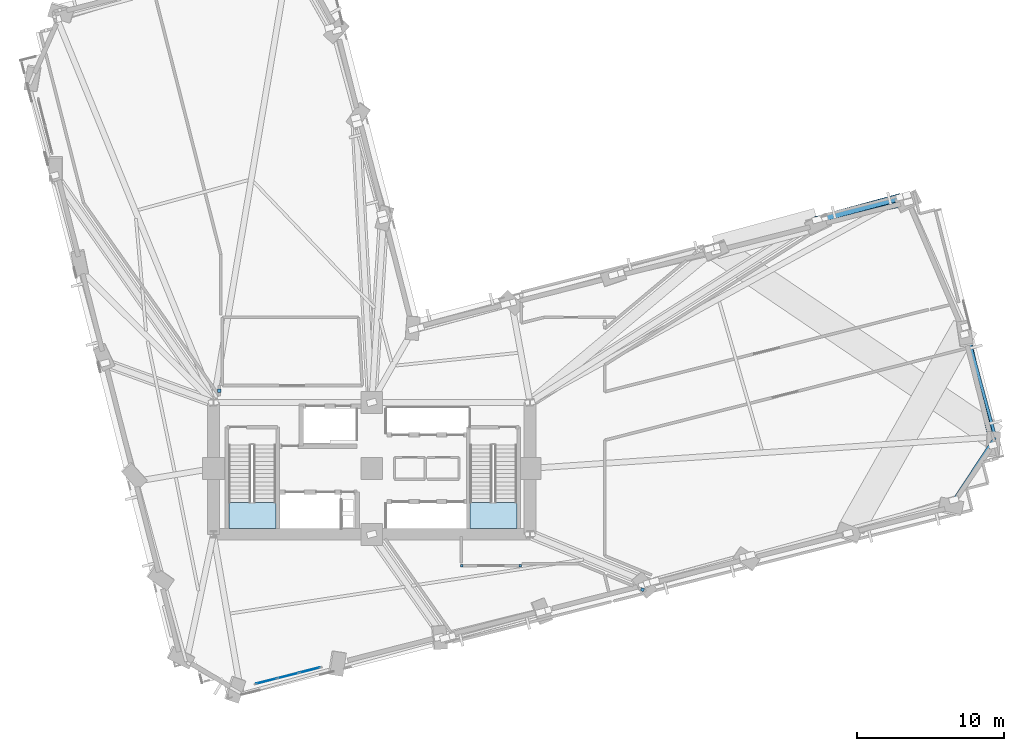
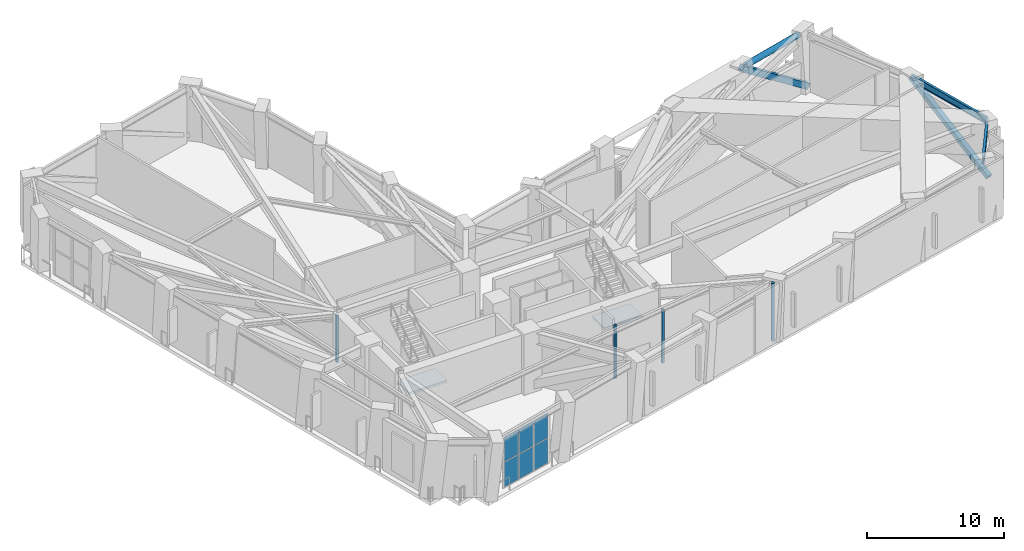
# One storey, part 6 of 17: 10 plates, 3 members, 2 beams, 2 slabs, 3 elements without a shape of their own.
"""IFC4 building model written with IfcOpenShell, lengths in metres."""

from ifc_helpers import new_model, si_unit, direction, frame, origin, origin_2d, place, context, subcontext, project, spatial, polyline, rectangle, hollow_rectangle, hollow_circle, i_section, outline, extrude, material, layer, layer_set, material_profile, profile_set, type_object, element, aggregate, save


model = new_model("IFC4")

# Units and contexts
model_context = context("Model", 3, precision=1e-05, world=origin(), true_north=direction((0.0, 1.0)))
body_context = subcontext(model_context, "Body", "Model", "MODEL_VIEW")
ifc_project = project(units=[si_unit("LENGTHUNIT", "METRE"), si_unit("AREAUNIT", "SQUARE_METRE"), si_unit("VOLUMEUNIT", "CUBIC_METRE"), si_unit("PLANEANGLEUNIT", "RADIAN"), si_unit("MASSUNIT", "GRAM", prefix="KILO")], contexts=[model_context])

# Site, building, storey
site_placement = place(None, origin())
site = spatial("IfcSite", under=ifc_project, at=site_placement, CompositionType="ELEMENT")
building_placement = place(site_placement, origin())
building = spatial("IfcBuilding", under=site, at=building_placement, Name="Gaonmaruhae Medical Tower", CompositionType="ELEMENT")
storey_placement = place(building_placement, frame((0.0, 0.0, 83.0)))
storey = spatial("IfcBuildingStorey", under=building, at=storey_placement, Name="L19", CompositionType="ELEMENT", Elevation=83.0)

# Members
ifc_material_1 = material(Name="Steel HSA650 (650 MPa)", Category="steel")
ifc_material_profile_1 = material_profile(ifc_material_1, hollow_circle(Radius=0.25390625, WallThickness=0.01611328125, at=origin_2d()), Name="CHS-508.0x16.0")
ifc_profile_set_1 = profile_set([ifc_material_profile_1], Name="Steel HSA650 (650 MPa)")
member_type_1 = type_object("IfcMemberType", Name="BT-C1 Belt Truss Perimeter Chord (CHS-508.0x16.0)", PredefinedType="CHORD", material=ifc_profile_set_1)
member_1_placement = place(storey_placement, frame((60.906982421875, 30.820068359375, 4.830078125), z_axis=(-0.96502204385, -0.262168752684, 0.0), x_axis=(0.262168752684, -0.96502204385, 0.0)))
element("IfcMember", 1, at=member_1_placement, inside=storey, type_object=member_type_1, Name="L19 Belt Truss Top Chord BTC04", PredefinedType="CHORD", context=body_context, shape_type="SweptSolid", body=[
    extrude(hollow_circle(Radius=0.25390625, WallThickness=0.01611328125, at=origin_2d()), origin(), (0.0, 0.0, 1.0), 5.510009765625),
])
ifc_material_profile_2 = material_profile(ifc_material_1, hollow_rectangle(XDim=0.5, YDim=0.5, WallThickness=0.02197265625, at=origin_2d()), Name="RHS-500x500x22")
ifc_profile_set_2 = profile_set([ifc_material_profile_2], Name="Steel HSA650 (650 MPa)")
member_type_2 = type_object("IfcMemberType", Name="BT-D1 Belt Truss Diagonal Heavy (RHS-500x500x22)", PredefinedType="BRACE", material=ifc_profile_set_2)
member_2_placement = place(storey_placement, frame((61.409912109375, 30.469970703125, 0.35009765625), z_axis=(-0.801856321794, -0.155151336931, 0.577022098232), x_axis=(0.189966837796, -0.98179050746, 0.0)))
element("IfcMember", 2, at=member_2_placement, inside=storey, type_object=member_type_2, Name="L19 Belt Truss Diagonal BTD04", PredefinedType="BRACE", context=body_context, shape_type="SweptSolid", body=[
    extrude(hollow_rectangle(XDim=0.5, YDim=0.5, WallThickness=0.02197265625, at=origin_2d()), origin(), (0.0, 0.0, 1.0), 7.763916015625),
])
ifc_material_2 = material(Name="Steel SM420", Category="steel")
ifc_material_profile_3 = material_profile(ifc_material_2, hollow_rectangle(XDim=0.39990234375, YDim=0.39990234375, WallThickness=0.01611328125, at=origin_2d()), Name="RHS-400x400x16")
ifc_profile_set_3 = profile_set([ifc_material_profile_3], Name="Steel SM420")
member_type_3 = type_object("IfcMemberType", Name="PB-01 Perimeter Solid-Bay Tube Brace Lower (RHS-400x400x16)", PredefinedType="BRACE", material=ifc_profile_set_3)
member_3_placement = place(storey_placement, frame((67.171630859375, 13.877685546875, 0.25), z_axis=(-0.196142319429, 0.848660202838, 0.491227086639), x_axis=(-0.974316268344, -0.225183945342, 0.0)))
element("IfcMember", 3, at=member_3_placement, inside=storey, type_object=member_type_3, Name="L19 Perimeter Tube Solid-Bay Brace E01-E02", PredefinedType="BRACE", context=body_context, shape_type="SweptSolid", body=[
    extrude(hollow_rectangle(XDim=0.39990234375, YDim=0.39990234375, WallThickness=0.01611328125, at=origin_2d()), origin(), (0.0, 0.0, 1.0), 9.527099609375),
])

# Beams
ifc_material_3 = material(Name="Steel SM355", Category="steel")
ifc_material_profile_4 = material_profile(ifc_material_3, i_section(OverallWidth=0.199951171875, OverallDepth=0.60009765625, WebThickness=0.010986328125, FlangeThickness=0.01708984375, FilletRadius=0.012939453125, at=origin_2d()), Name="H-600x200x11x17")
ifc_profile_set_4 = profile_set([ifc_material_profile_4], Name="Steel SM355")
beam_type = type_object("IfcBeamType", Name="SP-01 Lower Perimeter Spandrel Beam (H-600x200x11x17)", PredefinedType="SPANDREL", material=ifc_profile_set_4)
beam_1_placement = place(storey_placement, frame((64.546142578125, 10.1787109375, 4.860107421875), z_axis=(0.549765476408, 0.835319053386, 0.0), x_axis=(-0.835319053386, 0.549765476408, 0.0)))
element("IfcBeam", 4, at=beam_1_placement, inside=storey, type_object=beam_type, Name="L19 Perimeter Spandrel Beam S08-E01", PredefinedType="SPANDREL", context=body_context, shape_type="SweptSolid", body=[
    extrude(i_section(OverallWidth=0.199951171875, OverallDepth=0.60009765625, WebThickness=0.010986328125, FlangeThickness=0.01708984375, FilletRadius=0.012939453125, at=origin_2d()), origin(), (0.0, 0.0, 1.0), 5.056396484375),
])
beam_2_placement = place(storey_placement, frame((67.33740234375, 14.474365234375, 4.860107421875), z_axis=(-0.262167326114, 0.965022431407, 0.0), x_axis=(-0.965022431407, -0.262167326114, 0.0)))
element("IfcBeam", 5, at=beam_2_placement, inside=storey, type_object=beam_type, Name="L19 Perimeter Spandrel Beam E01-E02", PredefinedType="SPANDREL", context=body_context, shape_type="SweptSolid", body=[
    extrude(i_section(OverallWidth=0.199951171875, OverallDepth=0.60009765625, WebThickness=0.010986328125, FlangeThickness=0.01708984375, FilletRadius=0.012939453125, at=origin_2d()), origin(), (0.0, 0.0, 1.0), 7.719970703125),
])

# Curtain wall, plates
ifc_material_4 = material(Name="Anodised aluminium and Low-E double glazing", Category="aluminium")
curtain_wall_type = type_object("IfcCurtainWallType", Name="CW-S2 Express Sky Lobby Feature Curtain Wall", PredefinedType="NOTDEFINED", material=ifc_material_4)
curtain_wall_placement = place(storey_placement, origin())
curtain_wall = element("IfcCurtainWall", 6, at=curtain_wall_placement, inside=storey, type_object=curtain_wall_type, Name="L19 Curtain Wall CW-L19-S01", PredefinedType="NOTDEFINED")
ifc_material_5 = material(Name="Low-E double solar glass", Category="glass")
ifc_layer_1 = layer(ifc_material_5, 0.028076171875)
ifc_layer_set_1 = layer_set([ifc_layer_1], Name="Low-E double solar glass")
plate_type_1 = type_object("IfcPlateType", Name="CWP-V1 Low-E Double Vision Glazing Panel", PredefinedType="CURTAIN_PANEL", material=ifc_layer_set_1)
plate_1_placement = place(storey_placement, frame((20.570068359375, -1.465576171875, 0.06494140625), z_axis=(0.0, 0.0, 1.0), x_axis=(-0.969229296021, -0.246159646843, 0.0)))
plate_1 = element("IfcPlate", 7, at=plate_1_placement, type_object=plate_type_1, Name="CW-S2 panel 1.1", PredefinedType="CURTAIN_PANEL", context=body_context, shape_type="SweptSolid", body=[
    extrude(rectangle(XDim=1.429931640625, YDim=0.028076171875, at=origin_2d()), origin(), (0.0, 0.0, 1.0), 2.18505859375),
])
plate_2_placement = place(storey_placement, frame((20.570068359375, -1.465576171875, 2.31494140625), z_axis=(0.0, 0.0, 1.0), x_axis=(-0.969229296021, -0.246159646843, 0.0)))
plate_2 = element("IfcPlate", 8, at=plate_2_placement, type_object=plate_type_1, Name="CW-S2 panel 1.2", PredefinedType="CURTAIN_PANEL", context=body_context, shape_type="SweptSolid", body=[
    extrude(rectangle(XDim=1.429931640625, YDim=0.028076171875, at=origin_2d()), origin(), (0.0, 0.0, 1.0), 2.18505859375),
])
plate_3_placement = place(storey_placement, frame((19.09326171875, -1.840576171875, 0.06494140625), z_axis=(0.0, 0.0, 1.0), x_axis=(-0.969229296021, -0.246159646843, 0.0)))
plate_3 = element("IfcPlate", 9, at=plate_3_placement, type_object=plate_type_1, Name="CW-S2 panel 2.1", PredefinedType="CURTAIN_PANEL", context=body_context, shape_type="SweptSolid", body=[
    extrude(rectangle(XDim=1.46728515625, YDim=0.028076171875, at=origin_2d()), origin(), (0.0, 0.0, 1.0), 2.18505859375),
])
plate_4_placement = place(storey_placement, frame((19.09326171875, -1.840576171875, 2.31494140625), z_axis=(0.0, 0.0, 1.0), x_axis=(-0.969229296021, -0.246159646843, 0.0)))
plate_4 = element("IfcPlate", 10, at=plate_4_placement, type_object=plate_type_1, Name="CW-S2 panel 2.2", PredefinedType="CURTAIN_PANEL", context=body_context, shape_type="SweptSolid", body=[
    extrude(rectangle(XDim=1.46728515625, YDim=0.028076171875, at=origin_2d()), origin(), (0.0, 0.0, 1.0), 2.18505859375),
])
plate_5_placement = place(storey_placement, frame((17.616455078125, -2.215576171875, 0.06494140625), z_axis=(0.0, 0.0, 1.0), x_axis=(-0.969229296021, -0.246159646843, 0.0)))
plate_5 = element("IfcPlate", 11, at=plate_5_placement, type_object=plate_type_1, Name="CW-S2 panel 3.1", PredefinedType="CURTAIN_PANEL", context=body_context, shape_type="SweptSolid", body=[
    extrude(rectangle(XDim=1.429931640625, YDim=0.028076171875, at=origin_2d()), origin(), (0.0, 0.0, 1.0), 2.18505859375),
])
plate_6_placement = place(storey_placement, frame((17.616455078125, -2.215576171875, 2.31494140625), z_axis=(0.0, 0.0, 1.0), x_axis=(-0.969229296021, -0.246159646843, 0.0)))
plate_6 = element("IfcPlate", 12, at=plate_6_placement, type_object=plate_type_1, Name="CW-S2 panel 3.2", PredefinedType="CURTAIN_PANEL", context=body_context, shape_type="SweptSolid", body=[
    extrude(rectangle(XDim=1.429931640625, YDim=0.028076171875, at=origin_2d()), origin(), (0.0, 0.0, 1.0), 2.18505859375),
])
aggregate(curtain_wall, [plate_1, plate_2, plate_3, plate_4, plate_5, plate_6])

# Plates
ifc_material_6 = material(Name="Anodised aluminium 6063-T6", Category="aluminium")
ifc_layer_2 = layer(ifc_material_6, 0.011962890625)
ifc_layer_set_2 = layer_set([ifc_layer_2], Name="Anodised aluminium 6063-T6")
plate_type_2 = type_object("IfcPlateType", Name="PP-01 Interior Partition Corner Stiffener Plate", PredefinedType="SHEET", material=ifc_layer_set_2)
for number, where, z_axis, x_axis, name in (
    (13, (30.943115234375, 5.665283203125, 0.0), (0.0, 0.0, 1.0), (0.999992289381, -0.003926980724, 0.0), "L19 Partition End Jamb Post Plate PLT-L19-ENDP-PW020-0"),
    (14, (34.929931640625, 5.649658203125, 0.0), (0.0, 0.0, 1.0), (0.999992289381, -0.003926980724, 0.0), "L19 Partition End Jamb Post Plate PLT-L19-ENDP-PW020-1"),
):
    element("IfcPlate", number, at=place(storey_placement, frame(where, z_axis=z_axis, x_axis=x_axis)), inside=storey, type_object=plate_type_2, Name=name, PredefinedType="SHEET", context=body_context, shape_type="SweptSolid", body=[
        extrude(rectangle(XDim=0.179931640625, YDim=0.179931640625, at=origin_2d()), origin(), (0.0, 0.0, 1.0), 4.764892578125),
    ])
plate_7_placement = place(storey_placement, frame((43.2724609375, 4.0244140625, 0.0), z_axis=(0.0, 0.0, 1.0), x_axis=(0.925395045161, -0.379003971472, 0.0)))
element("IfcPlate", 15, at=plate_7_placement, inside=storey, type_object=plate_type_2, Name="L19 Partition Corner Stiffener Plate PLT-L19-JGP-PW036", PredefinedType="SHEET", context=body_context, shape_type="SweptSolid", body=[
    extrude(rectangle(XDim=0.219970703125, YDim=0.219970703125, at=origin_2d()), origin(), (0.0, 0.0, 1.0), 5.179931640625),
])
plate_8_placement = place(storey_placement, frame((14.39990234375, 17.594970703125, 0.0), z_axis=(0.0, 0.0, 1.0), x_axis=(0.0, -1.0, 0.0)))
element("IfcPlate", 16, at=plate_8_placement, inside=storey, type_object=plate_type_2, Name="L19 Partition Corner Stiffener Plate PLT-L19-JGP-PW056", PredefinedType="SHEET", context=body_context, shape_type="SweptSolid", body=[
    extrude(rectangle(XDim=0.219970703125, YDim=0.219970703125, at=origin_2d()), origin(), (0.0, 0.0, 1.0), 4.1650390625),
])

# Stair, slab
ifc_material_7 = material(Name="Concrete C40/50", Category="concrete")
stair_type = type_object("IfcStairType", Name="ST-T1 Primary Core Escape Dogleg Stair", PredefinedType="TWO_QUARTER_TURN_STAIR", material=ifc_material_7)
stair_1_placement = place(storey_placement, origin())
stair_1 = element("IfcStair", 17, at=stair_1_placement, inside=storey, type_object=stair_type, Name="L19 Protected Escape Stair ST-01", PredefinedType="TWO_QUARTER_TURN_STAIR")
ifc_layer_3 = layer(ifc_material_7, 0.199951171875)
ifc_layer_set_3 = layer_set([ifc_layer_3], Name="Concrete C40/50")
slab_type = type_object("IfcSlabType", Name="SL-200 Stair & Ramp Intermediate Concrete Landing", PredefinedType="LANDING", material=ifc_layer_set_3)
slab_1_placement = place(storey_placement, frame((0.0, 0.0, 2.5)))
slab_1 = element("IfcSlab", 18, at=slab_1_placement, type_object=slab_type, Name="ST-01 landing 1", PredefinedType="LANDING", context=body_context, shape_type="SweptSolid", body=[
    extrude(outline(polyline([(15.050048828125, 9.97998046875), (15.050048828125, 8.2041015625), (18.25, 8.2041015625), (18.25, 9.97998046875), (15.050048828125, 9.97998046875)])), origin(), (0.0, 0.0, 1.0), 0.199951171875),
])
aggregate(stair_1, [slab_1])

stair_2_placement = place(storey_placement, origin())
stair_2 = element("IfcStair", 19, at=stair_2_placement, inside=storey, type_object=stair_type, Name="L19 Protected Escape Stair ST-02", PredefinedType="TWO_QUARTER_TURN_STAIR")
slab_2_placement = place(storey_placement, frame((0.0, 0.0, 2.5)))
slab_2 = element("IfcSlab", 20, at=slab_2_placement, type_object=slab_type, Name="ST-02 landing 1", PredefinedType="LANDING", context=body_context, shape_type="SweptSolid", body=[
    extrude(outline(polyline([(31.5, 9.97998046875), (31.5, 8.2041015625), (34.699951171875, 8.2041015625), (34.699951171875, 9.97998046875), (31.5, 9.97998046875)])), origin(), (0.0, 0.0, 1.0), 0.199951171875),
])
aggregate(stair_2, [slab_2])

save(model, "model.ifc")
